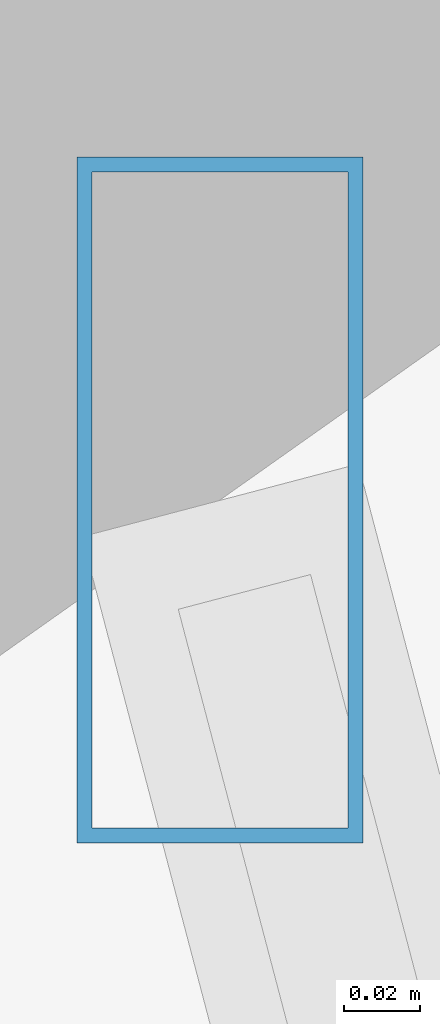
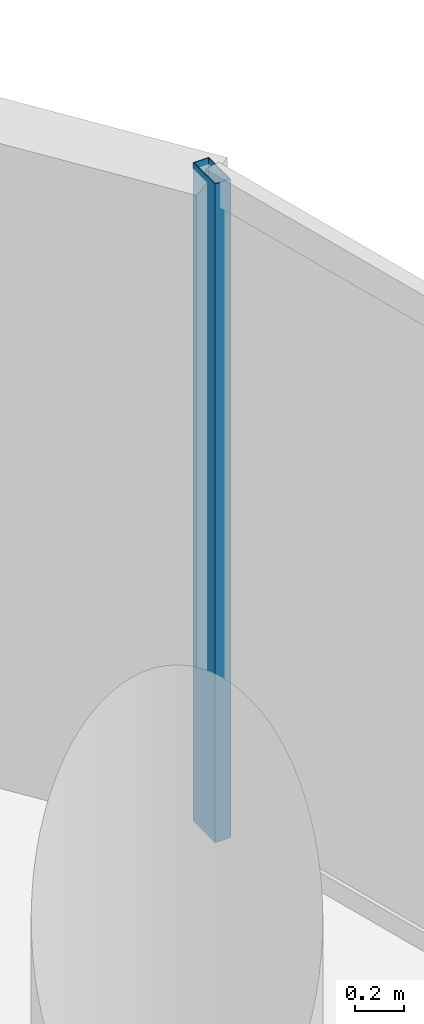
# One storey, part 18 of 35: 1 member, 1 element without a shape of its own.
"""IFC4 building model written with IfcOpenShell, lengths in metres."""

from ifc_helpers import new_model, si_unit, direction, frame, origin, origin_2d, place, context, subcontext, project, spatial, hollow_rectangle, extrude, material, material_profile, profile_set, type_object, element, aggregate, save


model = new_model("IFC4")

# Units and contexts
model_context = context("Model", 3, precision=1e-05, world=origin(), true_north=direction((0.0, 1.0)))
body_context = subcontext(model_context, "Body", "Model", "MODEL_VIEW")
ifc_project = project(units=[si_unit("LENGTHUNIT", "METRE"), si_unit("AREAUNIT", "SQUARE_METRE"), si_unit("VOLUMEUNIT", "CUBIC_METRE"), si_unit("PLANEANGLEUNIT", "RADIAN"), si_unit("MASSUNIT", "GRAM", prefix="KILO")], contexts=[model_context])

# Site, building, storey
site_placement = place(None, origin())
site = spatial("IfcSite", under=ifc_project, at=site_placement, CompositionType="ELEMENT")
building_placement = place(site_placement, origin())
building = spatial("IfcBuilding", under=site, at=building_placement, Name="Vorneva Point Tower", CompositionType="ELEMENT")
storey_placement = place(building_placement, frame((0.0, 0.0, 52.0)))
storey = spatial("IfcBuildingStorey", under=building, at=storey_placement, Name="L13", CompositionType="ELEMENT", Elevation=52.0)

# Curtain wall, member
ifc_material = material(Name="Pale anodised aluminium", Category="aluminium")
curtain_wall_type = type_object("IfcCurtainWallType", Name="CW-HTL-SYS", PredefinedType="NOTDEFINED", material=ifc_material)
curtain_wall_placement = place(storey_placement, origin())
curtain_wall = element("IfcCurtainWall", 1, at=curtain_wall_placement, inside=storey, type_object=curtain_wall_type, Name="L13 Unitised Curtain Wall CW-L13-R01", PredefinedType="NOTDEFINED")
ifc_material_profile = material_profile(ifc_material, hollow_rectangle(XDim=0.074951171875, YDim=0.179931640625, WallThickness=0.00390625, at=origin_2d()), Name="AL-MUL 180x75x4")
ifc_profile_set = profile_set([ifc_material_profile], Name="Pale anodised aluminium")
member_type = type_object("IfcMemberType", Name="CW-MUL-180", PredefinedType="MULLION", material=ifc_profile_set)
member_placement = place(storey_placement, frame((65.300537109375, 34.552978515625, -0.0400390625), z_axis=(0.0, 0.0, 1.0), x_axis=(1.0, 0.0, 0.0)))
member = element("IfcMember", 2, at=member_placement, type_object=member_type, Name="CW-L13-R01 Mullion 05", PredefinedType="MULLION", context=body_context, shape_type="SweptSolid", body=[
    extrude(hollow_rectangle(XDim=0.074951171875, YDim=0.179931640625, WallThickness=0.00390625, at=origin_2d()), origin(), (0.0, 0.0, 1.0), 3.31005859375),
])
aggregate(curtain_wall, [member])

save(model, "model.ifc")
